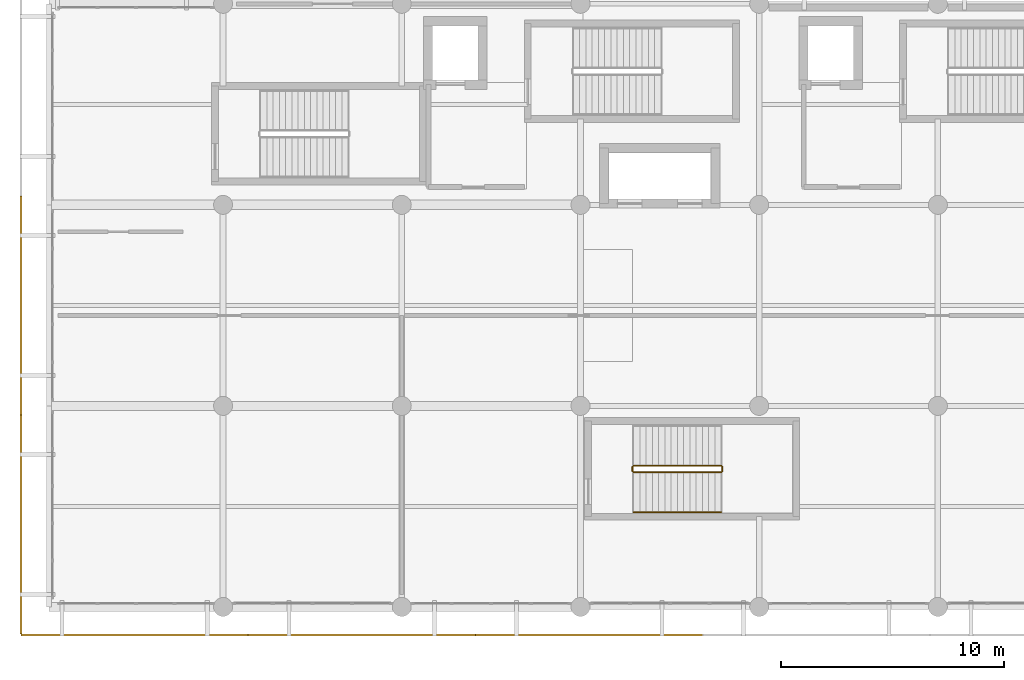
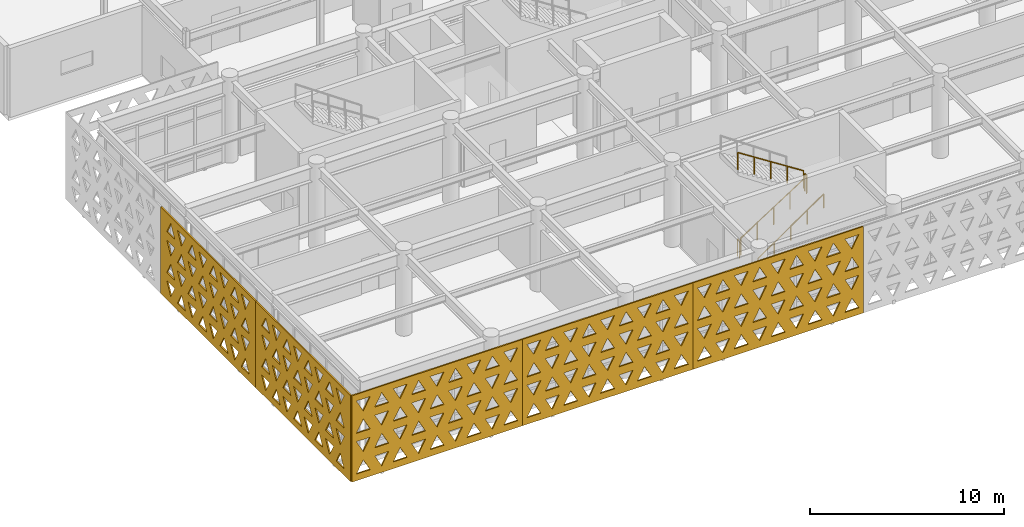
# One storey, part 72 of 84: 5 coverings, 5 railings.
"""IFC4 building model written with IfcOpenShell, lengths in metres."""

from ifc_helpers import new_model, si_unit, direction, frame, origin, origin_2d, place, context, subcontext, project, spatial, polyline, circle, outline, extrude, material, layer, layer_set, type_object, element, save


model = new_model("IFC4")

# Units and contexts
model_context = context("Model", 3, precision=1e-05, world=origin(), true_north=direction((0.0, 1.0)))
body_context = subcontext(model_context, "Body", "Model", "MODEL_VIEW")
ifc_project = project(units=[si_unit("LENGTHUNIT", "METRE"), si_unit("AREAUNIT", "SQUARE_METRE"), si_unit("VOLUMEUNIT", "CUBIC_METRE"), si_unit("PLANEANGLEUNIT", "RADIAN"), si_unit("MASSUNIT", "GRAM", prefix="KILO")], contexts=[model_context])

# Site, building, storey
site_placement = place(None, origin())
site = spatial("IfcSite", under=ifc_project, at=site_placement, CompositionType="ELEMENT")
building_placement = place(site_placement, origin())
building = spatial("IfcBuilding", under=site, at=building_placement, Name="Tlacozan Convention Centre", CompositionType="ELEMENT")
storey_placement = place(building_placement, frame((0.0, 0.0, 6.0)))
storey = spatial("IfcBuildingStorey", under=building, at=storey_placement, Name="L01", CompositionType="ELEMENT", Elevation=6.0)

# Railings
ifc_material_1 = material(Name="Architectural Painted Galvanised Steel Railing", Category="steel")
railing_type_1 = type_object("IfcRailingType", Name="Stair Wall Handrail 900", PredefinedType="HANDRAIL", material=ifc_material_1)
railing_1_placement = place(storey_placement, frame((26.3798828125, 4.25, 0.179931640625)))
element("IfcRailing", 1, at=railing_1_placement, inside=storey, type_object=railing_type_1, Name="L01 ST-16 stair handrail 1", PredefinedType="HANDRAIL", context=body_context, shape_type="SweptSolid", body=[
    extrude(circle(Radius=0.02392578125, at=origin_2d()), frame((0.0, 0.0, 0.8759765625), z_axis=(0.823567234665, 0.0, 0.567218661528), x_axis=(0.0, 1.0, 0.0)), (0.0, 0.0, 1.0), 4.760009765625),
    extrude(circle(Radius=0.02099609375, at=origin_2d()), origin(), (0.0, 0.0, 1.0), 0.851806640625),
    extrude(circle(Radius=0.02099609375, at=origin_2d()), frame((0.97998046875, 0.0, 0.675048828125)), (0.0, 0.0, 1.0), 0.851806640625),
    extrude(circle(Radius=0.02099609375, at=origin_2d()), frame((1.9599609375, 0.0, 1.35009765625)), (0.0, 0.0, 1.0), 0.851806640625),
    extrude(circle(Radius=0.02099609375, at=origin_2d()), frame((2.940185546875, 0.0, 2.02490234375)), (0.0, 0.0, 1.0), 0.851806640625),
    extrude(circle(Radius=0.02099609375, at=origin_2d()), frame((3.920166015625, 0.0, 2.699951171875)), (0.0, 0.0, 1.0), 0.851806640625),
])
railing_type_2 = type_object("IfcRailingType", Name="Stair Well Guardrail 1100", PredefinedType="GUARDRAIL", material=ifc_material_1)
railing_2_placement = place(storey_placement, frame((26.3798828125, 6.030029296875, 0.179931640625)))
element("IfcRailing", 2, at=railing_2_placement, inside=storey, type_object=railing_type_2, Name="L01 ST-16 stair guard 1", PredefinedType="GUARDRAIL", context=body_context, shape_type="SweptSolid", body=[
    extrude(circle(Radius=0.02392578125, at=origin_2d()), frame((0.0, 0.0, 1.076171875), z_axis=(0.841186985886, 0.0, 0.540744352514), x_axis=(0.0, 1.0, 0.0)), (0.0, 0.0, 1.0), 4.660400390625),
    extrude(circle(Radius=0.02099609375, at=origin_2d()), origin(), (0.0, 0.0, 1.0), 1.052001953125),
    extrude(circle(Radius=0.02099609375, at=origin_2d()), frame((0.97998046875, 0.0, 0.6298828125)), (0.0, 0.0, 1.0), 1.052001953125),
    extrude(circle(Radius=0.02099609375, at=origin_2d()), frame((1.9599609375, 0.0, 1.260009765625)), (0.0, 0.0, 1.0), 1.052001953125),
    extrude(circle(Radius=0.02099609375, at=origin_2d()), frame((2.940185546875, 0.0, 1.89013671875)), (0.0, 0.0, 1.0), 1.052001953125),
    extrude(circle(Radius=0.02099609375, at=origin_2d()), frame((3.920166015625, 0.0, 2.52001953125)), (0.0, 0.0, 1.0), 1.052001953125),
])
railing_3_placement = place(storey_placement, frame((30.35009765625, 6.080078125, 2.699951171875)))
element("IfcRailing", 3, at=railing_3_placement, inside=storey, type_object=railing_type_2, Name="L01 ST-16 stair guard 2", PredefinedType="GUARDRAIL", context=body_context, shape_type="SweptSolid", body=[
    extrude(circle(Radius=0.02392578125, at=origin_2d()), frame((0.0, 0.0, 1.076171875), z_axis=(0.0, 1.0, 0.0), x_axis=(-1.0, 0.0, 0.0)), (0.0, 0.0, 1.0), 0.199951171875),
    extrude(circle(Radius=0.02099609375, at=origin_2d()), origin(), (0.0, 0.0, 1.0), 1.052001953125),
    extrude(circle(Radius=0.02099609375, at=origin_2d()), frame((0.0, 0.199951171875, 0.0)), (0.0, 0.0, 1.0), 1.052001953125),
])
railing_4_placement = place(storey_placement, frame((30.300048828125, 6.330078125, 2.8798828125)))
element("IfcRailing", 4, at=railing_4_placement, inside=storey, type_object=railing_type_2, Name="L01 ST-16 stair guard 3", PredefinedType="GUARDRAIL", context=body_context, shape_type="SweptSolid", body=[
    extrude(circle(Radius=0.02392578125, at=origin_2d()), frame((0.0, 0.0, 1.076171875), z_axis=(-0.841186985886, 0.0, 0.540744352514), x_axis=(0.0, -1.0, 0.0)), (0.0, 0.0, 1.0), 4.660400390625),
    extrude(circle(Radius=0.02099609375, at=origin_2d()), origin(), (0.0, 0.0, 1.0), 1.052001953125),
    extrude(circle(Radius=0.02099609375, at=origin_2d()), frame((-0.97998046875, 0.0, 0.6298828125)), (0.0, 0.0, 1.0), 1.052001953125),
    extrude(circle(Radius=0.02099609375, at=origin_2d()), frame((-1.9599609375, 0.0, 1.260009765625)), (0.0, 0.0, 1.0), 1.052001953125),
    extrude(circle(Radius=0.02099609375, at=origin_2d()), frame((-2.940185546875, 0.0, 1.89013671875)), (0.0, 0.0, 1.0), 1.052001953125),
    extrude(circle(Radius=0.02099609375, at=origin_2d()), frame((-3.920166015625, 0.0, 2.52001953125)), (0.0, 0.0, 1.0), 1.052001953125),
])
railing_5_placement = place(storey_placement, frame((26.330078125, 6.080078125, 0.0)))
element("IfcRailing", 5, at=railing_5_placement, inside=storey, type_object=railing_type_2, Name="L01 ST-16 stair guard 4", PredefinedType="GUARDRAIL", context=body_context, shape_type="SweptSolid", body=[
    extrude(circle(Radius=0.02392578125, at=origin_2d()), frame((0.0, 0.0, 1.076171875), z_axis=(0.0, 1.0, 0.0), x_axis=(-1.0, 0.0, 0.0)), (0.0, 0.0, 1.0), 0.199951171875),
    extrude(circle(Radius=0.02099609375, at=origin_2d()), origin(), (0.0, 0.0, 1.0), 1.052001953125),
    extrude(circle(Radius=0.02099609375, at=origin_2d()), frame((0.0, 0.199951171875, 0.0)), (0.0, 0.0, 1.0), 1.052001953125),
])

# Coverings
ifc_material_2 = material(Name="Toluca Fired Terracotta Masonry Solar Screen", Category="masonry")
ifc_layer = layer(ifc_material_2, 0.080078125)
ifc_layer_set = layer_set([ifc_layer], Name="Toluca Fired Terracotta Masonry Solar Screen")
covering_type = type_object("IfcCoveringType", Name="Terracotta Triangle Solar Screen 80", PredefinedType="USERDEFINED", material=ifc_layer_set)
covering_1_placement = place(storey_placement, frame((-1.048095703125, -1.25, -0.10009765625), z_axis=(0.0, 0.0, 1.0), x_axis=(1.0, 0.0, 0.0)))
element("IfcCovering", 6, at=covering_1_placement, inside=storey, type_object=covering_type, Name="L01 Terracotta Triangle Screen 1", ObjectType="SCREEN", PredefinedType="USERDEFINED", context=body_context, shape_type="SweptSolid", body=[
    extrude(outline(polyline([(0.0, 0.0), (10.171142578125, 0.0), (10.171142578125, 5.4501953125), (0.0, 5.4501953125), (0.0, 0.0)]), holes=[polyline([(0.271484375, 0.41796875), (1.099609375, 0.41796875), (0.685546875, 1.1845703125), (0.271484375, 0.41796875)]), polyline([(1.37158203125, 1.1845703125), (2.19970703125, 1.1845703125), (1.78564453125, 0.41796875), (1.37158203125, 1.1845703125)]), polyline([(2.471435546875, 0.41796875), (3.299560546875, 0.41796875), (2.885498046875, 1.1845703125), (2.471435546875, 0.41796875)]), polyline([(3.571533203125, 1.1845703125), (4.399658203125, 1.1845703125), (3.985595703125, 0.41796875), (3.571533203125, 1.1845703125)]), polyline([(4.671630859375, 0.41796875), (5.49951171875, 0.41796875), (5.08544921875, 1.1845703125), (4.671630859375, 0.41796875)]), polyline([(5.771484375, 1.1845703125), (6.599609375, 1.1845703125), (6.185546875, 0.41796875), (5.771484375, 1.1845703125)]), polyline([(6.87158203125, 0.41796875), (7.69970703125, 0.41796875), (7.28564453125, 1.1845703125), (6.87158203125, 0.41796875)]), polyline([(7.971435546875, 1.1845703125), (8.799560546875, 1.1845703125), (8.385498046875, 0.41796875), (7.971435546875, 1.1845703125)]), polyline([(9.071533203125, 0.41796875), (9.899658203125, 0.41796875), (9.485595703125, 1.1845703125), (9.071533203125, 0.41796875)]), polyline([(0.271484375, 2.46728515625), (1.099609375, 2.46728515625), (0.685546875, 1.700439453125), (0.271484375, 2.46728515625)]), polyline([(1.37158203125, 1.700439453125), (2.19970703125, 1.700439453125), (1.78564453125, 2.46728515625), (1.37158203125, 1.700439453125)]), polyline([(2.471435546875, 2.46728515625), (3.299560546875, 2.46728515625), (2.885498046875, 1.700439453125), (2.471435546875, 2.46728515625)]), polyline([(3.571533203125, 1.700439453125), (4.399658203125, 1.700439453125), (3.985595703125, 2.46728515625), (3.571533203125, 1.700439453125)]), polyline([(4.671630859375, 2.46728515625), (5.49951171875, 2.46728515625), (5.08544921875, 1.700439453125), (4.671630859375, 2.46728515625)]), polyline([(5.771484375, 1.700439453125), (6.599609375, 1.700439453125), (6.185546875, 2.46728515625), (5.771484375, 1.700439453125)]), polyline([(6.87158203125, 2.46728515625), (7.69970703125, 2.46728515625), (7.28564453125, 1.700439453125), (6.87158203125, 2.46728515625)]), polyline([(7.971435546875, 1.700439453125), (8.799560546875, 1.700439453125), (8.385498046875, 2.46728515625), (7.971435546875, 1.700439453125)]), polyline([(9.071533203125, 2.46728515625), (9.899658203125, 2.46728515625), (9.485595703125, 1.700439453125), (9.071533203125, 2.46728515625)]), polyline([(0.271484375, 2.98291015625), (1.099609375, 2.98291015625), (0.685546875, 3.749755859375), (0.271484375, 2.98291015625)]), polyline([(1.37158203125, 3.749755859375), (2.19970703125, 3.749755859375), (1.78564453125, 2.98291015625), (1.37158203125, 3.749755859375)]), polyline([(2.471435546875, 2.98291015625), (3.299560546875, 2.98291015625), (2.885498046875, 3.749755859375), (2.471435546875, 2.98291015625)]), polyline([(3.571533203125, 3.749755859375), (4.399658203125, 3.749755859375), (3.985595703125, 2.98291015625), (3.571533203125, 3.749755859375)]), polyline([(4.671630859375, 2.98291015625), (5.49951171875, 2.98291015625), (5.08544921875, 3.749755859375), (4.671630859375, 2.98291015625)]), polyline([(5.771484375, 3.749755859375), (6.599609375, 3.749755859375), (6.185546875, 2.98291015625), (5.771484375, 3.749755859375)]), polyline([(6.87158203125, 2.98291015625), (7.69970703125, 2.98291015625), (7.28564453125, 3.749755859375), (6.87158203125, 2.98291015625)]), polyline([(7.971435546875, 3.749755859375), (8.799560546875, 3.749755859375), (8.385498046875, 2.98291015625), (7.971435546875, 3.749755859375)]), polyline([(9.071533203125, 2.98291015625), (9.899658203125, 2.98291015625), (9.485595703125, 3.749755859375), (9.071533203125, 2.98291015625)]), polyline([(0.271484375, 5.0322265625), (1.099609375, 5.0322265625), (0.685546875, 4.265625), (0.271484375, 5.0322265625)]), polyline([(1.37158203125, 4.265625), (2.19970703125, 4.265625), (1.78564453125, 5.0322265625), (1.37158203125, 4.265625)]), polyline([(2.471435546875, 5.0322265625), (3.299560546875, 5.0322265625), (2.885498046875, 4.265625), (2.471435546875, 5.0322265625)]), polyline([(3.571533203125, 4.265625), (4.399658203125, 4.265625), (3.985595703125, 5.0322265625), (3.571533203125, 4.265625)]), polyline([(4.671630859375, 5.0322265625), (5.49951171875, 5.0322265625), (5.08544921875, 4.265625), (4.671630859375, 5.0322265625)]), polyline([(5.771484375, 4.265625), (6.599609375, 4.265625), (6.185546875, 5.0322265625), (5.771484375, 4.265625)]), polyline([(6.87158203125, 5.0322265625), (7.69970703125, 5.0322265625), (7.28564453125, 4.265625), (6.87158203125, 5.0322265625)]), polyline([(7.971435546875, 4.265625), (8.799560546875, 4.265625), (8.385498046875, 5.0322265625), (7.971435546875, 4.265625)]), polyline([(9.071533203125, 5.0322265625), (9.899658203125, 5.0322265625), (9.485595703125, 4.265625), (9.071533203125, 5.0322265625)])]), frame((0.0, 0.0400390625, 0.0), z_axis=(0.0, -1.0, 0.0), x_axis=(1.0, 0.0, 0.0)), (0.0, 0.0, 1.0), 0.080078125),
])
covering_2_placement = place(storey_placement, frame((9.126953125, -1.25, -0.10009765625), z_axis=(0.0, 0.0, 1.0), x_axis=(1.0, 0.0, 0.0)))
element("IfcCovering", 7, at=covering_2_placement, inside=storey, type_object=covering_type, Name="L01 Terracotta Triangle Screen 2", ObjectType="SCREEN", PredefinedType="USERDEFINED", context=body_context, shape_type="SweptSolid", body=[
    extrude(outline(polyline([(0.0, 0.0), (10.171142578125, 0.0), (10.171142578125, 5.4501953125), (0.0, 5.4501953125), (0.0, 0.0)]), holes=[polyline([(0.271484375, 0.41796875), (1.099609375, 0.41796875), (0.685546875, 1.1845703125), (0.271484375, 0.41796875)]), polyline([(1.37158203125, 1.1845703125), (2.19970703125, 1.1845703125), (1.78564453125, 0.41796875), (1.37158203125, 1.1845703125)]), polyline([(2.471435546875, 0.41796875), (3.299560546875, 0.41796875), (2.885498046875, 1.1845703125), (2.471435546875, 0.41796875)]), polyline([(3.571533203125, 1.1845703125), (4.399658203125, 1.1845703125), (3.985595703125, 0.41796875), (3.571533203125, 1.1845703125)]), polyline([(4.671630859375, 0.41796875), (5.49951171875, 0.41796875), (5.08544921875, 1.1845703125), (4.671630859375, 0.41796875)]), polyline([(5.771484375, 1.1845703125), (6.599609375, 1.1845703125), (6.185546875, 0.41796875), (5.771484375, 1.1845703125)]), polyline([(6.87158203125, 0.41796875), (7.69970703125, 0.41796875), (7.28564453125, 1.1845703125), (6.87158203125, 0.41796875)]), polyline([(7.971435546875, 1.1845703125), (8.799560546875, 1.1845703125), (8.385498046875, 0.41796875), (7.971435546875, 1.1845703125)]), polyline([(9.071533203125, 0.41796875), (9.899658203125, 0.41796875), (9.485595703125, 1.1845703125), (9.071533203125, 0.41796875)]), polyline([(0.271484375, 2.46728515625), (1.099609375, 2.46728515625), (0.685546875, 1.700439453125), (0.271484375, 2.46728515625)]), polyline([(1.37158203125, 1.700439453125), (2.19970703125, 1.700439453125), (1.78564453125, 2.46728515625), (1.37158203125, 1.700439453125)]), polyline([(2.471435546875, 2.46728515625), (3.299560546875, 2.46728515625), (2.885498046875, 1.700439453125), (2.471435546875, 2.46728515625)]), polyline([(3.571533203125, 1.700439453125), (4.399658203125, 1.700439453125), (3.985595703125, 2.46728515625), (3.571533203125, 1.700439453125)]), polyline([(4.671630859375, 2.46728515625), (5.49951171875, 2.46728515625), (5.08544921875, 1.700439453125), (4.671630859375, 2.46728515625)]), polyline([(5.771484375, 1.700439453125), (6.599609375, 1.700439453125), (6.185546875, 2.46728515625), (5.771484375, 1.700439453125)]), polyline([(6.87158203125, 2.46728515625), (7.69970703125, 2.46728515625), (7.28564453125, 1.700439453125), (6.87158203125, 2.46728515625)]), polyline([(7.971435546875, 1.700439453125), (8.799560546875, 1.700439453125), (8.385498046875, 2.46728515625), (7.971435546875, 1.700439453125)]), polyline([(9.071533203125, 2.46728515625), (9.899658203125, 2.46728515625), (9.485595703125, 1.700439453125), (9.071533203125, 2.46728515625)]), polyline([(0.271484375, 2.98291015625), (1.099609375, 2.98291015625), (0.685546875, 3.749755859375), (0.271484375, 2.98291015625)]), polyline([(1.37158203125, 3.749755859375), (2.19970703125, 3.749755859375), (1.78564453125, 2.98291015625), (1.37158203125, 3.749755859375)]), polyline([(2.471435546875, 2.98291015625), (3.299560546875, 2.98291015625), (2.885498046875, 3.749755859375), (2.471435546875, 2.98291015625)]), polyline([(3.571533203125, 3.749755859375), (4.399658203125, 3.749755859375), (3.985595703125, 2.98291015625), (3.571533203125, 3.749755859375)]), polyline([(4.671630859375, 2.98291015625), (5.49951171875, 2.98291015625), (5.08544921875, 3.749755859375), (4.671630859375, 2.98291015625)]), polyline([(5.771484375, 3.749755859375), (6.599609375, 3.749755859375), (6.185546875, 2.98291015625), (5.771484375, 3.749755859375)]), polyline([(6.87158203125, 2.98291015625), (7.69970703125, 2.98291015625), (7.28564453125, 3.749755859375), (6.87158203125, 2.98291015625)]), polyline([(7.971435546875, 3.749755859375), (8.799560546875, 3.749755859375), (8.385498046875, 2.98291015625), (7.971435546875, 3.749755859375)]), polyline([(9.071533203125, 2.98291015625), (9.899658203125, 2.98291015625), (9.485595703125, 3.749755859375), (9.071533203125, 2.98291015625)]), polyline([(0.271484375, 5.0322265625), (1.099609375, 5.0322265625), (0.685546875, 4.265625), (0.271484375, 5.0322265625)]), polyline([(1.37158203125, 4.265625), (2.19970703125, 4.265625), (1.78564453125, 5.0322265625), (1.37158203125, 4.265625)]), polyline([(2.471435546875, 5.0322265625), (3.299560546875, 5.0322265625), (2.885498046875, 4.265625), (2.471435546875, 5.0322265625)]), polyline([(3.571533203125, 4.265625), (4.399658203125, 4.265625), (3.985595703125, 5.0322265625), (3.571533203125, 4.265625)]), polyline([(4.671630859375, 5.0322265625), (5.49951171875, 5.0322265625), (5.08544921875, 4.265625), (4.671630859375, 5.0322265625)]), polyline([(5.771484375, 4.265625), (6.599609375, 4.265625), (6.185546875, 5.0322265625), (5.771484375, 4.265625)]), polyline([(6.87158203125, 5.0322265625), (7.69970703125, 5.0322265625), (7.28564453125, 4.265625), (6.87158203125, 5.0322265625)]), polyline([(7.971435546875, 4.265625), (8.799560546875, 4.265625), (8.385498046875, 5.0322265625), (7.971435546875, 4.265625)]), polyline([(9.071533203125, 5.0322265625), (9.899658203125, 5.0322265625), (9.485595703125, 4.265625), (9.071533203125, 5.0322265625)])]), frame((0.0, 0.0400390625, 0.0), z_axis=(0.0, -1.0, 0.0), x_axis=(1.0, 0.0, 0.0)), (0.0, 0.0, 1.0), 0.080078125),
])
covering_3_placement = place(storey_placement, frame((19.302001953125, -1.25, -0.10009765625), z_axis=(0.0, 0.0, 1.0), x_axis=(1.0, 0.0, 0.0)))
element("IfcCovering", 8, at=covering_3_placement, inside=storey, type_object=covering_type, Name="L01 Terracotta Triangle Screen 3", ObjectType="SCREEN", PredefinedType="USERDEFINED", context=body_context, shape_type="SweptSolid", body=[
    extrude(outline(polyline([(0.0, 0.0), (10.1708984375, 0.0), (10.1708984375, 5.4501953125), (0.0, 5.4501953125), (0.0, 0.0)]), holes=[polyline([(0.271484375, 0.41796875), (1.099365234375, 0.41796875), (0.685546875, 1.1845703125), (0.271484375, 0.41796875)]), polyline([(1.371337890625, 1.1845703125), (2.199462890625, 1.1845703125), (1.785400390625, 0.41796875), (1.371337890625, 1.1845703125)]), polyline([(2.471435546875, 0.41796875), (3.299560546875, 0.41796875), (2.885498046875, 1.1845703125), (2.471435546875, 0.41796875)]), polyline([(3.571533203125, 1.1845703125), (4.3994140625, 1.1845703125), (3.9853515625, 0.41796875), (3.571533203125, 1.1845703125)]), polyline([(4.67138671875, 0.41796875), (5.49951171875, 0.41796875), (5.08544921875, 1.1845703125), (4.67138671875, 0.41796875)]), polyline([(5.771484375, 1.1845703125), (6.599365234375, 1.1845703125), (6.185546875, 0.41796875), (5.771484375, 1.1845703125)]), polyline([(6.871337890625, 0.41796875), (7.699462890625, 0.41796875), (7.285400390625, 1.1845703125), (6.871337890625, 0.41796875)]), polyline([(7.971435546875, 1.1845703125), (8.799560546875, 1.1845703125), (8.385498046875, 0.41796875), (7.971435546875, 1.1845703125)]), polyline([(9.071533203125, 0.41796875), (9.8994140625, 0.41796875), (9.4853515625, 1.1845703125), (9.071533203125, 0.41796875)]), polyline([(0.271484375, 2.46728515625), (1.099365234375, 2.46728515625), (0.685546875, 1.700439453125), (0.271484375, 2.46728515625)]), polyline([(1.371337890625, 1.700439453125), (2.199462890625, 1.700439453125), (1.785400390625, 2.46728515625), (1.371337890625, 1.700439453125)]), polyline([(2.471435546875, 2.46728515625), (3.299560546875, 2.46728515625), (2.885498046875, 1.700439453125), (2.471435546875, 2.46728515625)]), polyline([(3.571533203125, 1.700439453125), (4.3994140625, 1.700439453125), (3.9853515625, 2.46728515625), (3.571533203125, 1.700439453125)]), polyline([(4.67138671875, 2.46728515625), (5.49951171875, 2.46728515625), (5.08544921875, 1.700439453125), (4.67138671875, 2.46728515625)]), polyline([(5.771484375, 1.700439453125), (6.599365234375, 1.700439453125), (6.185546875, 2.46728515625), (5.771484375, 1.700439453125)]), polyline([(6.871337890625, 2.46728515625), (7.699462890625, 2.46728515625), (7.285400390625, 1.700439453125), (6.871337890625, 2.46728515625)]), polyline([(7.971435546875, 1.700439453125), (8.799560546875, 1.700439453125), (8.385498046875, 2.46728515625), (7.971435546875, 1.700439453125)]), polyline([(9.071533203125, 2.46728515625), (9.8994140625, 2.46728515625), (9.4853515625, 1.700439453125), (9.071533203125, 2.46728515625)]), polyline([(0.271484375, 2.98291015625), (1.099365234375, 2.98291015625), (0.685546875, 3.749755859375), (0.271484375, 2.98291015625)]), polyline([(1.371337890625, 3.749755859375), (2.199462890625, 3.749755859375), (1.785400390625, 2.98291015625), (1.371337890625, 3.749755859375)]), polyline([(2.471435546875, 2.98291015625), (3.299560546875, 2.98291015625), (2.885498046875, 3.749755859375), (2.471435546875, 2.98291015625)]), polyline([(3.571533203125, 3.749755859375), (4.3994140625, 3.749755859375), (3.9853515625, 2.98291015625), (3.571533203125, 3.749755859375)]), polyline([(4.67138671875, 2.98291015625), (5.49951171875, 2.98291015625), (5.08544921875, 3.749755859375), (4.67138671875, 2.98291015625)]), polyline([(5.771484375, 3.749755859375), (6.599365234375, 3.749755859375), (6.185546875, 2.98291015625), (5.771484375, 3.749755859375)]), polyline([(6.871337890625, 2.98291015625), (7.699462890625, 2.98291015625), (7.285400390625, 3.749755859375), (6.871337890625, 2.98291015625)]), polyline([(7.971435546875, 3.749755859375), (8.799560546875, 3.749755859375), (8.385498046875, 2.98291015625), (7.971435546875, 3.749755859375)]), polyline([(9.071533203125, 2.98291015625), (9.8994140625, 2.98291015625), (9.4853515625, 3.749755859375), (9.071533203125, 2.98291015625)]), polyline([(0.271484375, 5.0322265625), (1.099365234375, 5.0322265625), (0.685546875, 4.265625), (0.271484375, 5.0322265625)]), polyline([(1.371337890625, 4.265625), (2.199462890625, 4.265625), (1.785400390625, 5.0322265625), (1.371337890625, 4.265625)]), polyline([(2.471435546875, 5.0322265625), (3.299560546875, 5.0322265625), (2.885498046875, 4.265625), (2.471435546875, 5.0322265625)]), polyline([(3.571533203125, 4.265625), (4.3994140625, 4.265625), (3.9853515625, 5.0322265625), (3.571533203125, 4.265625)]), polyline([(4.67138671875, 5.0322265625), (5.49951171875, 5.0322265625), (5.08544921875, 4.265625), (4.67138671875, 5.0322265625)]), polyline([(5.771484375, 4.265625), (6.599365234375, 4.265625), (6.185546875, 5.0322265625), (5.771484375, 4.265625)]), polyline([(6.871337890625, 5.0322265625), (7.699462890625, 5.0322265625), (7.285400390625, 4.265625), (6.871337890625, 5.0322265625)]), polyline([(7.971435546875, 4.265625), (8.799560546875, 4.265625), (8.385498046875, 5.0322265625), (7.971435546875, 4.265625)]), polyline([(9.071533203125, 5.0322265625), (9.8994140625, 5.0322265625), (9.4853515625, 4.265625), (9.071533203125, 5.0322265625)])]), frame((0.0, 0.0400390625, 0.0), z_axis=(0.0, -1.0, 0.0), x_axis=(1.0, 0.0, 0.0)), (0.0, 0.0, 1.0), 0.080078125),
])
covering_4_placement = place(storey_placement, frame((-1.050048828125, -1.205078125, -0.10009765625), z_axis=(0.0, 0.0, 1.0), x_axis=(0.0, 1.0, 0.0)))
element("IfcCovering", 9, at=covering_4_placement, inside=storey, type_object=covering_type, Name="L01 Terracotta Triangle Screen 13", ObjectType="SCREEN", PredefinedType="USERDEFINED", context=body_context, shape_type="SweptSolid", body=[
    extrude(outline(polyline([(0.0, 0.0), (9.80078125, 0.0), (9.80078125, 5.4501953125), (0.0, 5.4501953125), (0.0, 0.0)]), holes=[polyline([(0.636474609375, 0.41796875), (1.46435546875, 0.41796875), (1.05029296875, 1.1845703125), (0.636474609375, 0.41796875)]), polyline([(1.736328125, 1.1845703125), (2.564453125, 1.1845703125), (2.150390625, 0.41796875), (1.736328125, 1.1845703125)]), polyline([(2.83642578125, 0.41796875), (3.664306640625, 0.41796875), (3.25048828125, 1.1845703125), (2.83642578125, 0.41796875)]), polyline([(3.936279296875, 1.1845703125), (4.764404296875, 1.1845703125), (4.350341796875, 0.41796875), (3.936279296875, 1.1845703125)]), polyline([(5.036376953125, 0.41796875), (5.864501953125, 0.41796875), (5.450439453125, 1.1845703125), (5.036376953125, 0.41796875)]), polyline([(6.136474609375, 1.1845703125), (6.96435546875, 1.1845703125), (6.55029296875, 0.41796875), (6.136474609375, 1.1845703125)]), polyline([(7.236328125, 0.41796875), (8.064453125, 0.41796875), (7.650390625, 1.1845703125), (7.236328125, 0.41796875)]), polyline([(8.33642578125, 1.1845703125), (9.164306640625, 1.1845703125), (8.75048828125, 0.41796875), (8.33642578125, 1.1845703125)]), polyline([(0.636474609375, 2.46728515625), (1.46435546875, 2.46728515625), (1.05029296875, 1.700439453125), (0.636474609375, 2.46728515625)]), polyline([(1.736328125, 1.700439453125), (2.564453125, 1.700439453125), (2.150390625, 2.46728515625), (1.736328125, 1.700439453125)]), polyline([(2.83642578125, 2.46728515625), (3.664306640625, 2.46728515625), (3.25048828125, 1.700439453125), (2.83642578125, 2.46728515625)]), polyline([(3.936279296875, 1.700439453125), (4.764404296875, 1.700439453125), (4.350341796875, 2.46728515625), (3.936279296875, 1.700439453125)]), polyline([(5.036376953125, 2.46728515625), (5.864501953125, 2.46728515625), (5.450439453125, 1.700439453125), (5.036376953125, 2.46728515625)]), polyline([(6.136474609375, 1.700439453125), (6.96435546875, 1.700439453125), (6.55029296875, 2.46728515625), (6.136474609375, 1.700439453125)]), polyline([(7.236328125, 2.46728515625), (8.064453125, 2.46728515625), (7.650390625, 1.700439453125), (7.236328125, 2.46728515625)]), polyline([(8.33642578125, 1.700439453125), (9.164306640625, 1.700439453125), (8.75048828125, 2.46728515625), (8.33642578125, 1.700439453125)]), polyline([(0.636474609375, 2.98291015625), (1.46435546875, 2.98291015625), (1.05029296875, 3.749755859375), (0.636474609375, 2.98291015625)]), polyline([(1.736328125, 3.749755859375), (2.564453125, 3.749755859375), (2.150390625, 2.98291015625), (1.736328125, 3.749755859375)]), polyline([(2.83642578125, 2.98291015625), (3.664306640625, 2.98291015625), (3.25048828125, 3.749755859375), (2.83642578125, 2.98291015625)]), polyline([(3.936279296875, 3.749755859375), (4.764404296875, 3.749755859375), (4.350341796875, 2.98291015625), (3.936279296875, 3.749755859375)]), polyline([(5.036376953125, 2.98291015625), (5.864501953125, 2.98291015625), (5.450439453125, 3.749755859375), (5.036376953125, 2.98291015625)]), polyline([(6.136474609375, 3.749755859375), (6.96435546875, 3.749755859375), (6.55029296875, 2.98291015625), (6.136474609375, 3.749755859375)]), polyline([(7.236328125, 2.98291015625), (8.064453125, 2.98291015625), (7.650390625, 3.749755859375), (7.236328125, 2.98291015625)]), polyline([(8.33642578125, 3.749755859375), (9.164306640625, 3.749755859375), (8.75048828125, 2.98291015625), (8.33642578125, 3.749755859375)]), polyline([(0.636474609375, 5.0322265625), (1.46435546875, 5.0322265625), (1.05029296875, 4.265625), (0.636474609375, 5.0322265625)]), polyline([(1.736328125, 4.265625), (2.564453125, 4.265625), (2.150390625, 5.0322265625), (1.736328125, 4.265625)]), polyline([(2.83642578125, 5.0322265625), (3.664306640625, 5.0322265625), (3.25048828125, 4.265625), (2.83642578125, 5.0322265625)]), polyline([(3.936279296875, 4.265625), (4.764404296875, 4.265625), (4.350341796875, 5.0322265625), (3.936279296875, 4.265625)]), polyline([(5.036376953125, 5.0322265625), (5.864501953125, 5.0322265625), (5.450439453125, 4.265625), (5.036376953125, 5.0322265625)]), polyline([(6.136474609375, 4.265625), (6.96435546875, 4.265625), (6.55029296875, 5.0322265625), (6.136474609375, 4.265625)]), polyline([(7.236328125, 5.0322265625), (8.064453125, 5.0322265625), (7.650390625, 4.265625), (7.236328125, 5.0322265625)]), polyline([(8.33642578125, 4.265625), (9.164306640625, 4.265625), (8.75048828125, 5.0322265625), (8.33642578125, 4.265625)])]), frame((0.0, 0.0400390625, 0.0), z_axis=(0.0, -1.0, 0.0), x_axis=(1.0, 0.0, 0.0)), (0.0, 0.0, 1.0), 0.080078125),
])
covering_5_placement = place(storey_placement, frame((-1.050048828125, 8.599609375, -0.10009765625), z_axis=(0.0, 0.0, 1.0), x_axis=(0.0, 1.0, 0.0)))
element("IfcCovering", 10, at=covering_5_placement, inside=storey, type_object=covering_type, Name="L01 Terracotta Triangle Screen 14", ObjectType="SCREEN", PredefinedType="USERDEFINED", context=body_context, shape_type="SweptSolid", body=[
    extrude(outline(polyline([(0.0, 0.0), (9.80078125, 0.0), (9.80078125, 5.4501953125), (0.0, 5.4501953125), (0.0, 0.0)]), holes=[polyline([(0.636474609375, 0.41796875), (1.46435546875, 0.41796875), (1.05029296875, 1.1845703125), (0.636474609375, 0.41796875)]), polyline([(1.736328125, 1.1845703125), (2.564453125, 1.1845703125), (2.150390625, 0.41796875), (1.736328125, 1.1845703125)]), polyline([(2.83642578125, 0.41796875), (3.664306640625, 0.41796875), (3.25048828125, 1.1845703125), (2.83642578125, 0.41796875)]), polyline([(3.936279296875, 1.1845703125), (4.764404296875, 1.1845703125), (4.350341796875, 0.41796875), (3.936279296875, 1.1845703125)]), polyline([(5.036376953125, 0.41796875), (5.864501953125, 0.41796875), (5.450439453125, 1.1845703125), (5.036376953125, 0.41796875)]), polyline([(6.136474609375, 1.1845703125), (6.96435546875, 1.1845703125), (6.55029296875, 0.41796875), (6.136474609375, 1.1845703125)]), polyline([(7.236328125, 0.41796875), (8.064453125, 0.41796875), (7.650390625, 1.1845703125), (7.236328125, 0.41796875)]), polyline([(8.33642578125, 1.1845703125), (9.164306640625, 1.1845703125), (8.75048828125, 0.41796875), (8.33642578125, 1.1845703125)]), polyline([(0.636474609375, 2.46728515625), (1.46435546875, 2.46728515625), (1.05029296875, 1.700439453125), (0.636474609375, 2.46728515625)]), polyline([(1.736328125, 1.700439453125), (2.564453125, 1.700439453125), (2.150390625, 2.46728515625), (1.736328125, 1.700439453125)]), polyline([(2.83642578125, 2.46728515625), (3.664306640625, 2.46728515625), (3.25048828125, 1.700439453125), (2.83642578125, 2.46728515625)]), polyline([(3.936279296875, 1.700439453125), (4.764404296875, 1.700439453125), (4.350341796875, 2.46728515625), (3.936279296875, 1.700439453125)]), polyline([(5.036376953125, 2.46728515625), (5.864501953125, 2.46728515625), (5.450439453125, 1.700439453125), (5.036376953125, 2.46728515625)]), polyline([(6.136474609375, 1.700439453125), (6.96435546875, 1.700439453125), (6.55029296875, 2.46728515625), (6.136474609375, 1.700439453125)]), polyline([(7.236328125, 2.46728515625), (8.064453125, 2.46728515625), (7.650390625, 1.700439453125), (7.236328125, 2.46728515625)]), polyline([(8.33642578125, 1.700439453125), (9.164306640625, 1.700439453125), (8.75048828125, 2.46728515625), (8.33642578125, 1.700439453125)]), polyline([(0.636474609375, 2.98291015625), (1.46435546875, 2.98291015625), (1.05029296875, 3.749755859375), (0.636474609375, 2.98291015625)]), polyline([(1.736328125, 3.749755859375), (2.564453125, 3.749755859375), (2.150390625, 2.98291015625), (1.736328125, 3.749755859375)]), polyline([(2.83642578125, 2.98291015625), (3.664306640625, 2.98291015625), (3.25048828125, 3.749755859375), (2.83642578125, 2.98291015625)]), polyline([(3.936279296875, 3.749755859375), (4.764404296875, 3.749755859375), (4.350341796875, 2.98291015625), (3.936279296875, 3.749755859375)]), polyline([(5.036376953125, 2.98291015625), (5.864501953125, 2.98291015625), (5.450439453125, 3.749755859375), (5.036376953125, 2.98291015625)]), polyline([(6.136474609375, 3.749755859375), (6.96435546875, 3.749755859375), (6.55029296875, 2.98291015625), (6.136474609375, 3.749755859375)]), polyline([(7.236328125, 2.98291015625), (8.064453125, 2.98291015625), (7.650390625, 3.749755859375), (7.236328125, 2.98291015625)]), polyline([(8.33642578125, 3.749755859375), (9.164306640625, 3.749755859375), (8.75048828125, 2.98291015625), (8.33642578125, 3.749755859375)]), polyline([(0.636474609375, 5.0322265625), (1.46435546875, 5.0322265625), (1.05029296875, 4.265625), (0.636474609375, 5.0322265625)]), polyline([(1.736328125, 4.265625), (2.564453125, 4.265625), (2.150390625, 5.0322265625), (1.736328125, 4.265625)]), polyline([(2.83642578125, 5.0322265625), (3.664306640625, 5.0322265625), (3.25048828125, 4.265625), (2.83642578125, 5.0322265625)]), polyline([(3.936279296875, 4.265625), (4.764404296875, 4.265625), (4.350341796875, 5.0322265625), (3.936279296875, 4.265625)]), polyline([(5.036376953125, 5.0322265625), (5.864501953125, 5.0322265625), (5.450439453125, 4.265625), (5.036376953125, 5.0322265625)]), polyline([(6.136474609375, 4.265625), (6.96435546875, 4.265625), (6.55029296875, 5.0322265625), (6.136474609375, 4.265625)]), polyline([(7.236328125, 5.0322265625), (8.064453125, 5.0322265625), (7.650390625, 4.265625), (7.236328125, 5.0322265625)]), polyline([(8.33642578125, 4.265625), (9.164306640625, 4.265625), (8.75048828125, 5.0322265625), (8.33642578125, 4.265625)])]), frame((0.0, 0.0400390625, 0.0), z_axis=(0.0, -1.0, 0.0), x_axis=(1.0, 0.0, 0.0)), (0.0, 0.0, 1.0), 0.080078125),
])

save(model, "model.ifc")
